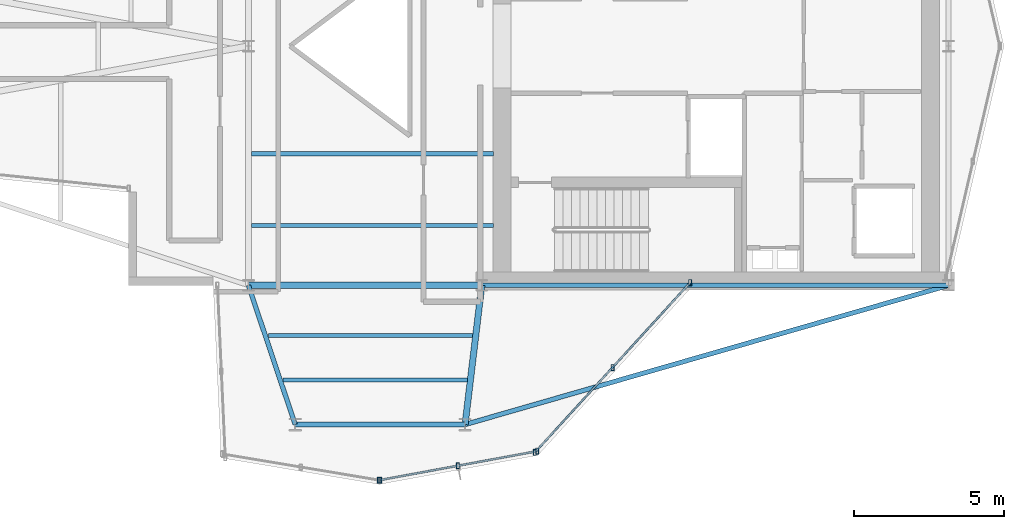
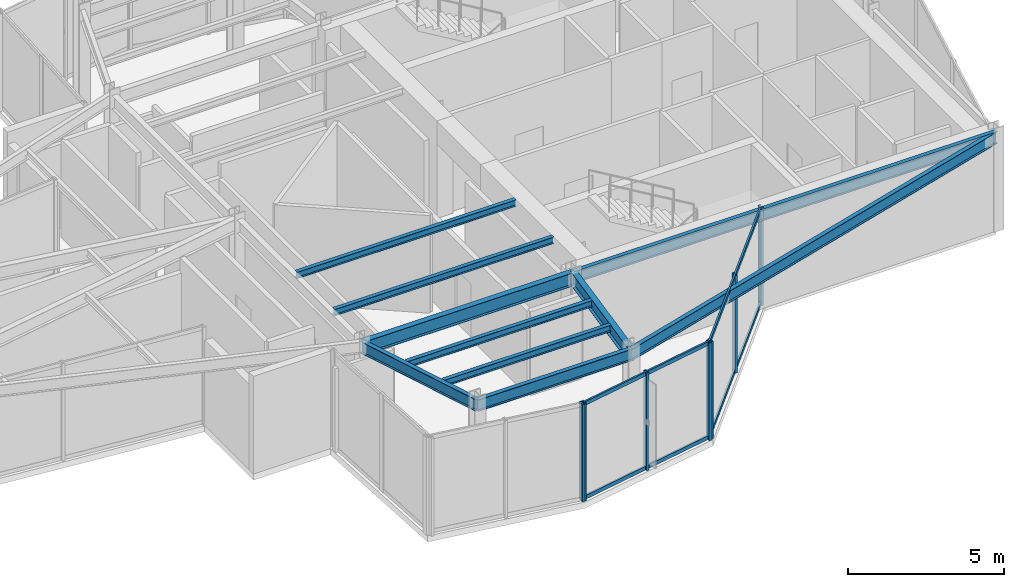
# One storey, part 3 of 14: 11 members, 10 beams, 3 elements without a shape of their own.
"""IFC4 building model written with IfcOpenShell, lengths in metres."""

from ifc_helpers import new_model, si_unit, direction, frame, origin, origin_2d, place, context, subcontext, project, spatial, hollow_rectangle, i_section, extrude, material, layer, layer_set, material_profile, profile_set, type_object, element, aggregate, save


model = new_model("IFC4")

# Units and contexts
model_context = context("Model", 3, precision=1e-05, world=origin(), true_north=direction((0.0, 1.0)))
body_context = subcontext(model_context, "Body", "Model", "MODEL_VIEW")
ifc_project = project(units=[si_unit("LENGTHUNIT", "METRE"), si_unit("AREAUNIT", "SQUARE_METRE"), si_unit("VOLUMEUNIT", "CUBIC_METRE"), si_unit("PLANEANGLEUNIT", "RADIAN"), si_unit("MASSUNIT", "GRAM", prefix="KILO")], contexts=[model_context])

# Site, building, storey
site_placement = place(None, origin())
site = spatial("IfcSite", under=ifc_project, at=site_placement, CompositionType="ELEMENT")
building_placement = place(site_placement, origin())
building = spatial("IfcBuilding", under=site, at=building_placement, Name="Veymaron Broadcast Tower", CompositionType="ELEMENT")
storey_placement = place(building_placement, frame((0.0, 0.0, 283.050048828125)))
storey = spatial("IfcBuildingStorey", under=building, at=storey_placement, Name="L66", CompositionType="ELEMENT", Elevation=283.050048828125)

# Beams
ifc_material_1 = material(Name="Structural steel ASTM A992 Gr 50", Category="steel")
ifc_material_profile_1 = material_profile(ifc_material_1, i_section(OverallWidth=0.208984375, OverallDepth=0.528076171875, WebThickness=0.009521484375, FlangeThickness=0.01318359375, at=origin_2d()), Name="W530X82")
ifc_profile_set_1 = profile_set([ifc_material_profile_1], Name="Structural steel ASTM A992 Gr 50")
beam_type_1 = type_object("IfcBeamType", Name="BM-FG4", PredefinedType="BEAM", material=ifc_profile_set_1)
beam_1_placement = place(storey_placement, frame((31.199951171875, 16.0, 3.5458984375), z_axis=(1.0, 0.0, 0.0), x_axis=(0.0, 1.0, 0.0)))
element("IfcBeam", 1, at=beam_1_placement, inside=storey, type_object=beam_type_1, Name="L66 primary structural floor girder", PredefinedType="BEAM", context=body_context, shape_type="SweptSolid", body=[
    extrude(i_section(OverallWidth=0.208984375, OverallDepth=0.528076171875, WebThickness=0.009521484375, FlangeThickness=0.01318359375, at=origin_2d()), origin(), (0.0, 0.0, 1.0), 7.800048828125),
])
beam_2_placement = place(storey_placement, frame((39.0, 16.0, 3.5458984375), z_axis=(-0.119114400744, -0.992880536387, 0.0), x_axis=(0.992880536387, -0.119114400744, 0.0)))
element("IfcBeam", 2, at=beam_2_placement, inside=storey, type_object=beam_type_1, Name="L66 primary structural floor girder", PredefinedType="BEAM", context=body_context, shape_type="SweptSolid", body=[
    extrude(i_section(OverallWidth=0.208984375, OverallDepth=0.528076171875, WebThickness=0.009521484375, FlangeThickness=0.01318359375, at=origin_2d()), origin(), (0.0, 0.0, 1.0), 4.685546875),
])
ifc_material_profile_2 = material_profile(ifc_material_1, i_section(OverallWidth=0.14599609375, OverallDepth=0.258056640625, WebThickness=0.006103515625, FlangeThickness=0.009033203125, at=origin_2d()), Name="W250X33")
ifc_profile_set_2 = profile_set([ifc_material_profile_2], Name="Structural steel ASTM A992 Gr 50")
beam_type_2 = type_object("IfcBeamType", Name="BM-JS4", PredefinedType="JOIST", material=ifc_profile_set_2)
beam_3_placement = place(storey_placement, frame((31.862548828125, 14.3251953125, 3.680908203125), z_axis=(1.0, 0.0, 0.0), x_axis=(0.0, 1.0, 0.0)))
element("IfcBeam", 3, at=beam_3_placement, inside=storey, type_object=beam_type_2, Name="L66 Arm-C secondary joist 1", PredefinedType="JOIST", context=body_context, shape_type="SweptSolid", body=[
    extrude(i_section(OverallWidth=0.14599609375, OverallDepth=0.258056640625, WebThickness=0.006103515625, FlangeThickness=0.009033203125, at=origin_2d()), origin(), (0.0, 0.0, 1.0), 6.836669921875),
])
beam_4_placement = place(storey_placement, frame((32.3623046875, 12.836669921875, 3.680908203125), z_axis=(1.0, 0.0, 0.0), x_axis=(0.0, 1.0, 0.0)))
element("IfcBeam", 4, at=beam_4_placement, inside=storey, type_object=beam_type_2, Name="L66 Arm-C secondary joist 2", PredefinedType="JOIST", context=body_context, shape_type="SweptSolid", body=[
    extrude(i_section(OverallWidth=0.14599609375, OverallDepth=0.258056640625, WebThickness=0.006103515625, FlangeThickness=0.009033203125, at=origin_2d()), origin(), (0.0, 0.0, 1.0), 6.158203125),
])
for number, where, z_axis, x_axis, name in (
    (5, (31.300048828125, 18.0, 3.680908203125), (1.0, 0.0, 0.0), (0.0, 1.0, 0.0), "L66 Hub secondary joist 1"),
    (6, (31.300048828125, 20.39990234375, 3.680908203125), (1.0, 0.0, 0.0), (0.0, 1.0, 0.0), "L66 Hub secondary joist 2"),
):
    element("IfcBeam", number, at=place(storey_placement, frame(where, z_axis=z_axis, x_axis=x_axis)), inside=storey, type_object=beam_type_2, Name=name, PredefinedType="JOIST", context=body_context, shape_type="SweptSolid", body=[
        extrude(i_section(OverallWidth=0.14599609375, OverallDepth=0.258056640625, WebThickness=0.006103515625, FlangeThickness=0.009033203125, at=origin_2d()), origin(), (0.0, 0.0, 1.0), 8.099853515625),
    ])
ifc_material_profile_3 = material_profile(ifc_material_1, i_section(OverallWidth=0.154052734375, OverallDepth=0.458984375, WebThickness=0.009033203125, FlangeThickness=0.015380859375, at=origin_2d()), Name="W460X68")
ifc_profile_set_3 = profile_set([ifc_material_profile_3], Name="Structural steel ASTM A992 Gr 50")
beam_type_3 = type_object("IfcBeamType", Name="BM-SP2", PredefinedType="SPANDREL", material=ifc_profile_set_3)
beam_5_placement = place(storey_placement, frame((39.0, 16.0, 3.58056640625), z_axis=(1.0, 0.0, 0.0), x_axis=(0.0, 1.0, 0.0)))
element("IfcBeam", 7, at=beam_5_placement, inside=storey, type_object=beam_type_3, Name="L66 primary structural floor girder", PredefinedType="SPANDREL", context=body_context, shape_type="SweptSolid", body=[
    extrude(i_section(OverallWidth=0.154052734375, OverallDepth=0.458984375, WebThickness=0.009033203125, FlangeThickness=0.015380859375, at=origin_2d()), origin(), (0.0, 0.0, 1.0), 15.60009765625),
])
beam_6_placement = place(storey_placement, frame((31.199951171875, 16.0, 3.58056640625), z_axis=(0.318391007143, -0.947959475173, 0.0), x_axis=(0.947959475173, 0.318391007143, 0.0)))
element("IfcBeam", 8, at=beam_6_placement, inside=storey, type_object=beam_type_3, Name="L66 primary structural floor girder", PredefinedType="SPANDREL", context=body_context, shape_type="SweptSolid", body=[
    extrude(i_section(OverallWidth=0.154052734375, OverallDepth=0.458984375, WebThickness=0.009033203125, FlangeThickness=0.015380859375, at=origin_2d()), origin(), (0.0, 0.0, 1.0), 4.907470703125),
])
beam_7_placement = place(storey_placement, frame((54.60009765625, 16.0, 3.58056640625), z_axis=(-0.960964746108, -0.276670845478, 0.0), x_axis=(0.276670845478, -0.960964746108, 0.0)))
element("IfcBeam", 9, at=beam_7_placement, inside=storey, type_object=beam_type_3, Name="L66 primary structural floor girder", PredefinedType="SPANDREL", context=body_context, shape_type="SweptSolid", body=[
    extrude(i_section(OverallWidth=0.154052734375, OverallDepth=0.458984375, WebThickness=0.009033203125, FlangeThickness=0.015380859375, at=origin_2d()), origin(), (0.0, 0.0, 1.0), 16.814453125),
])
beam_8_placement = place(storey_placement, frame((32.762451171875, 11.347900390625, 3.58056640625), z_axis=(1.0, 0.0, 0.0), x_axis=(0.0, 1.0, 0.0)))
element("IfcBeam", 10, at=beam_8_placement, inside=storey, type_object=beam_type_3, Name="L66 primary structural floor girder", PredefinedType="SPANDREL", context=body_context, shape_type="SweptSolid", body=[
    extrude(i_section(OverallWidth=0.154052734375, OverallDepth=0.458984375, WebThickness=0.009033203125, FlangeThickness=0.015380859375, at=origin_2d()), origin(), (0.0, 0.0, 1.0), 5.679443359375),
])

# Curtain wall, member
ifc_material_2 = material(Name="Anodised aluminium AA 6063-T6 and laminated low-E dark glass", Category="aluminium")
ifc_layer = layer(ifc_material_2, 0.179931640625)
ifc_layer_set = layer_set([ifc_layer], Name="Anodised aluminium AA 6063-T6 and laminated low-E dark glass")
curtain_wall_type = type_object("IfcCurtainWallType", Name="CW-SYS-06", PredefinedType="NOTDEFINED", material=ifc_layer_set)
curtain_wall_1_placement = place(storey_placement, origin())
curtain_wall_1 = element("IfcCurtainWall", 11, at=curtain_wall_1_placement, inside=storey, type_object=curtain_wall_type, Name="L66 dark-glass curtain wall CW-L66-E18-1", PredefinedType="NOTDEFINED")
ifc_material_3 = material(Name="Anodised aluminium AA 6063-T6", Category="aluminium")
ifc_material_profile_4 = material_profile(ifc_material_3, hollow_rectangle(XDim=0.10009765625, YDim=0.199951171875, WallThickness=0.010009765625, at=origin_2d()), Name="RHS200X100X10")
ifc_profile_set_4 = profile_set([ifc_material_profile_4], Name="Anodised aluminium AA 6063-T6")
member_type_1 = type_object("IfcMemberType", Name="CW-MUL-01", PredefinedType="MULLION", material=ifc_profile_set_4)
member_1_placement = place(storey_placement, frame((35.604248046875, 9.48486328125, 0.0), z_axis=(0.0, 0.0, 1.0), x_axis=(1.0, 0.0, 0.0)))
member_1 = element("IfcMember", 12, at=member_1_placement, type_object=member_type_1, Name="CW-L66-E18-1 mullion 2", PredefinedType="MULLION", context=body_context, shape_type="SweptSolid", body=[
    extrude(hollow_rectangle(XDim=0.10009765625, YDim=0.199951171875, WallThickness=0.010009765625, at=origin_2d()), origin(), (0.0, 0.0, 1.0), 3.81005859375),
])
aggregate(curtain_wall_1, [member_1])

# Curtain wall, members
curtain_wall_2_placement = place(storey_placement, origin())
curtain_wall_2 = element("IfcCurtainWall", 13, at=curtain_wall_2_placement, inside=storey, type_object=curtain_wall_type, Name="L66 dark-glass curtain wall CW-L66-E19-1", PredefinedType="NOTDEFINED")
member_2_placement = place(storey_placement, frame((35.555908203125, 9.484619140625, 0.0), z_axis=(0.0, 0.0, 1.0), x_axis=(1.0, 0.0, 0.0)))
member_2 = element("IfcMember", 14, at=member_2_placement, type_object=member_type_1, Name="CW-L66-E19-1 mullion 0", PredefinedType="MULLION", context=body_context, shape_type="SweptSolid", body=[
    extrude(hollow_rectangle(XDim=0.10009765625, YDim=0.199951171875, WallThickness=0.010009765625, at=origin_2d()), origin(), (0.0, 0.0, 1.0), 3.81005859375),
])
member_3_placement = place(storey_placement, frame((38.2041015625, 9.970703125, 0.0), z_axis=(0.0, 0.0, 1.0), x_axis=(1.0, 0.0, 0.0)))
member_3 = element("IfcMember", 15, at=member_3_placement, type_object=member_type_1, Name="CW-L66-E19-1 mullion 1", PredefinedType="MULLION", context=body_context, shape_type="SweptSolid", body=[
    extrude(hollow_rectangle(XDim=0.10009765625, YDim=0.199951171875, WallThickness=0.010009765625, at=origin_2d()), origin(), (0.0, 0.0, 1.0), 3.81005859375),
])
member_4_placement = place(storey_placement, frame((40.852294921875, 10.456787109375, 0.0), z_axis=(0.0, 0.0, 1.0), x_axis=(1.0, 0.0, 0.0)))
member_4 = element("IfcMember", 16, at=member_4_placement, type_object=member_type_1, Name="CW-L66-E19-1 mullion 2", PredefinedType="MULLION", context=body_context, shape_type="SweptSolid", body=[
    extrude(hollow_rectangle(XDim=0.10009765625, YDim=0.199951171875, WallThickness=0.010009765625, at=origin_2d()), origin(), (0.0, 0.0, 1.0), 3.81005859375),
])

curtain_wall_3_placement = place(storey_placement, origin())
curtain_wall_3 = element("IfcCurtainWall", 17, at=curtain_wall_3_placement, inside=storey, type_object=curtain_wall_type, Name="L66 dark-glass curtain wall CW-L66-E20-1", PredefinedType="NOTDEFINED")
member_5_placement = place(storey_placement, frame((40.7744140625, 10.41357421875, 0.0), z_axis=(0.0, 0.0, 1.0), x_axis=(1.0, 0.0, 0.0)))
member_5 = element("IfcMember", 18, at=member_5_placement, type_object=member_type_1, Name="CW-L66-E20-1 mullion 0", PredefinedType="MULLION", context=body_context, shape_type="SweptSolid", body=[
    extrude(hollow_rectangle(XDim=0.10009765625, YDim=0.199951171875, WallThickness=0.010009765625, at=origin_2d()), origin(), (0.0, 0.0, 1.0), 3.81005859375),
])
member_6_placement = place(storey_placement, frame((43.3701171875, 13.25390625, 0.0), z_axis=(0.0, 0.0, 1.0), x_axis=(1.0, 0.0, 0.0)))
member_6 = element("IfcMember", 19, at=member_6_placement, type_object=member_type_1, Name="CW-L66-E20-1 mullion 1", PredefinedType="MULLION", context=body_context, shape_type="SweptSolid", body=[
    extrude(hollow_rectangle(XDim=0.10009765625, YDim=0.199951171875, WallThickness=0.010009765625, at=origin_2d()), origin(), (0.0, 0.0, 1.0), 3.81005859375),
])
member_7_placement = place(storey_placement, frame((45.965576171875, 16.094482421875, 0.0), z_axis=(0.0, 0.0, 1.0), x_axis=(1.0, 0.0, 0.0)))
member_7 = element("IfcMember", 20, at=member_7_placement, type_object=member_type_1, Name="CW-L66-E20-1 mullion 2", PredefinedType="MULLION", context=body_context, shape_type="SweptSolid", body=[
    extrude(hollow_rectangle(XDim=0.10009765625, YDim=0.199951171875, WallThickness=0.010009765625, at=origin_2d()), origin(), (0.0, 0.0, 1.0), 3.81005859375),
])

# Member
ifc_material_profile_5 = material_profile(ifc_material_3, hollow_rectangle(XDim=0.06494140625, YDim=0.14990234375, WallThickness=0.00390625, at=origin_2d()), Name="AL150X65X4")
ifc_profile_set_5 = profile_set([ifc_material_profile_5], Name="Anodised aluminium AA 6063-T6")
member_type_2 = type_object("IfcMemberType", Name="CW-TRN-01", PredefinedType="USERDEFINED", material=ifc_profile_set_5)
member_8_placement = place(storey_placement, frame((35.60498046875, 9.493408203125, 0.070068359375), z_axis=(0.983552023681, 0.180625072218, 0.0), x_axis=(-0.180625072218, 0.983552023681, 0.0)))
member_8 = element("IfcMember", 21, at=member_8_placement, type_object=member_type_2, Name="CW-L66-E19-1 transom B", ObjectType="TRANSOM", PredefinedType="USERDEFINED", context=body_context, shape_type="SweptSolid", body=[
    extrude(hollow_rectangle(XDim=0.06494140625, YDim=0.14990234375, WallThickness=0.00390625, at=origin_2d()), origin(), (0.0, 0.0, 1.0), 5.284912109375),
])

member_9_placement = place(storey_placement, frame((35.60498046875, 9.493408203125, 3.739990234375), z_axis=(0.983552023681, 0.180625072218, 0.0), x_axis=(-0.180625072218, 0.983552023681, 0.0)))
member_9 = element("IfcMember", 22, at=member_9_placement, type_object=member_type_2, Name="CW-L66-E19-1 transom T", ObjectType="TRANSOM", PredefinedType="USERDEFINED", context=body_context, shape_type="SweptSolid", body=[
    extrude(hollow_rectangle(XDim=0.06494140625, YDim=0.14990234375, WallThickness=0.00390625, at=origin_2d()), origin(), (0.0, 0.0, 1.0), 5.284912109375),
])

aggregate(curtain_wall_2, [member_2, member_3, member_4, member_8, member_9])

member_10_placement = place(storey_placement, frame((40.80810546875, 10.450439453125, 0.070068359375), z_axis=(0.674569589879, 0.738211262722, 0.0), x_axis=(-0.738211262722, 0.674569589879, 0.0)))
member_10 = element("IfcMember", 23, at=member_10_placement, type_object=member_type_2, Name="CW-L66-E20-1 transom B", ObjectType="TRANSOM", PredefinedType="USERDEFINED", context=body_context, shape_type="SweptSolid", body=[
    extrude(hollow_rectangle(XDim=0.06494140625, YDim=0.14990234375, WallThickness=0.00390625, at=origin_2d()), origin(), (0.0, 0.0, 1.0), 7.595703125),
])

member_11_placement = place(storey_placement, frame((40.80810546875, 10.450439453125, 3.739990234375), z_axis=(0.674569589879, 0.738211262722, 0.0), x_axis=(-0.738211262722, 0.674569589879, 0.0)))
member_11 = element("IfcMember", 24, at=member_11_placement, type_object=member_type_2, Name="CW-L66-E20-1 transom T", ObjectType="TRANSOM", PredefinedType="USERDEFINED", context=body_context, shape_type="SweptSolid", body=[
    extrude(hollow_rectangle(XDim=0.06494140625, YDim=0.14990234375, WallThickness=0.00390625, at=origin_2d()), origin(), (0.0, 0.0, 1.0), 7.595703125),
])

aggregate(curtain_wall_3, [member_5, member_6, member_7, member_10, member_11])

save(model, "model.ifc")
